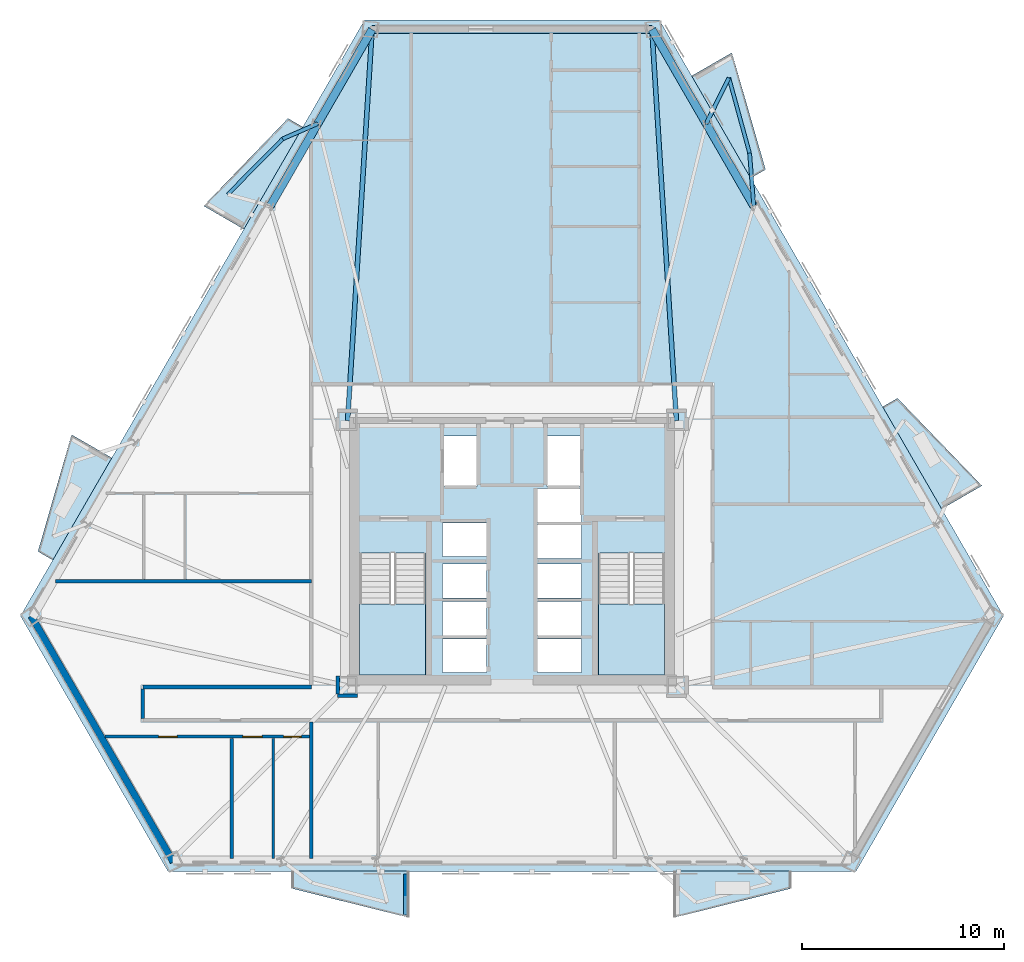
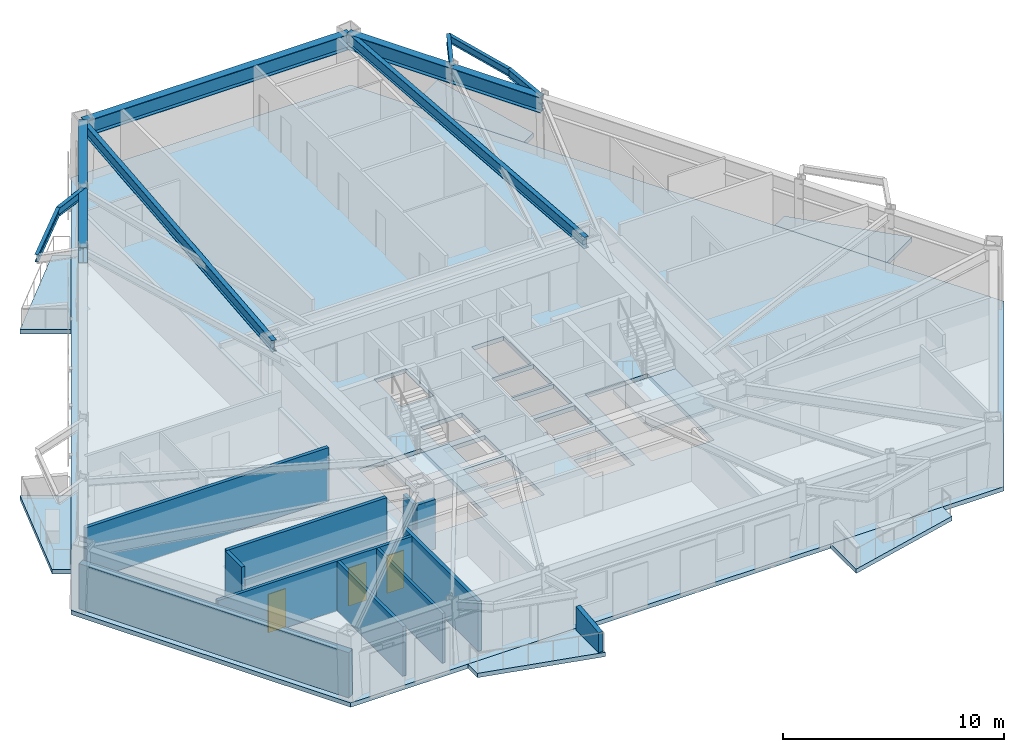
# One storey, part 2 of 10: 12 beams, 11 walls, 9 slabs, 3 doors, 3 openings, 2 elements without a shape of their own.
"""IFC4 building model written with IfcOpenShell, lengths in metres."""

from ifc_helpers import new_model, si_unit, direction, frame, frame_2d, origin, origin_2d, place, context, subcontext, project, spatial, polyline, rectangle, i_section, outline, extrude, material, layer, layer_set, material_profile, profile_set, type_object, element, fill, aggregate, save


model = new_model("IFC4")

# Units and contexts
model_context = context("Model", 3, precision=1e-05, world=origin(), true_north=direction((0.0, 1.0)))
body_context = subcontext(model_context, "Body", "Model", "MODEL_VIEW")
ifc_project = project(units=[si_unit("LENGTHUNIT", "METRE"), si_unit("AREAUNIT", "SQUARE_METRE"), si_unit("VOLUMEUNIT", "CUBIC_METRE"), si_unit("PLANEANGLEUNIT", "RADIAN"), si_unit("MASSUNIT", "GRAM", prefix="KILO")], contexts=[model_context])

# Site, building, storey
site_placement = place(None, origin())
site = spatial("IfcSite", under=ifc_project, at=site_placement, CompositionType="ELEMENT")
building_placement = place(site_placement, origin())
building = spatial("IfcBuilding", under=site, at=building_placement, Name="Oramaril Tower", CompositionType="ELEMENT")
storey_placement = place(building_placement, frame((0.0, 0.0, 59.699951171875)))
storey = spatial("IfcBuildingStorey", under=building, at=storey_placement, Name="L15", CompositionType="ELEMENT", Elevation=59.699951171875)

# Beams
ifc_material_1 = material(Name="Steel ASTM A572 Gr 50", Category="steel")
ifc_material_profile_1 = material_profile(ifc_material_1, i_section(OverallWidth=0.19091796875, OverallDepth=0.45703125, WebThickness=0.009033203125, FlangeThickness=0.014404296875, at=origin_2d()), Name="W18X50")
ifc_profile_set_1 = profile_set([ifc_material_profile_1], Name="Steel ASTM A572 Gr 50")
beam_type_1 = type_object("IfcBeamType", Name="BT-BB1", PredefinedType="BEAM", material=ifc_profile_set_1)
beam_1_placement = place(storey_placement, frame((49.48681640625, 34.797607421875, 3.131591796875), z_axis=(-0.079412586367, 0.996841833556, 0.0), x_axis=(-0.996841833556, -0.079412586367, 0.0)))
element("IfcBeam", 1, at=beam_1_placement, inside=storey, type_object=beam_type_1, Name="L15 Balcony Column-Framed Cantilever 04.1", PredefinedType="BEAM", context=body_context, shape_type="SweptSolid", body=[
    extrude(i_section(OverallWidth=0.19091796875, OverallDepth=0.45703125, WebThickness=0.009033203125, FlangeThickness=0.014404296875, at=origin_2d()), origin(), (0.0, 0.0, 1.0), 2.62548828125),
])
beam_2_placement = place(storey_placement, frame((47.129638671875, 38.88037109375, 3.131591796875), z_axis=(0.444626353757, 0.895716141166, 0.0), x_axis=(-0.895716141166, 0.444626353757, 0.0)))
element("IfcBeam", 2, at=beam_2_placement, inside=storey, type_object=beam_type_1, Name="L15 Balcony Column-Framed Cantilever 04.2", PredefinedType="BEAM", context=body_context, shape_type="SweptSolid", body=[
    extrude(i_section(OverallWidth=0.19091796875, OverallDepth=0.45703125, WebThickness=0.009033203125, FlangeThickness=0.014404296875, at=origin_2d()), origin(), (0.0, 0.0, 1.0), 2.53076171875),
])
beam_3_placement = place(storey_placement, frame((27.870361328125, 38.88037109375, 3.131591796875), z_axis=(-0.917088474832, -0.398683746007, 0.0), x_axis=(0.398683746007, -0.917088474832, 0.0)))
element("IfcBeam", 3, at=beam_3_placement, inside=storey, type_object=beam_type_1, Name="L15 Balcony Column-Framed Cantilever 05.1", PredefinedType="BEAM", context=body_context, shape_type="SweptSolid", body=[
    extrude(i_section(OverallWidth=0.19091796875, OverallDepth=0.45703125, WebThickness=0.009033203125, FlangeThickness=0.014404296875, at=origin_2d()), origin(), (0.0, 0.0, 1.0), 1.896484375),
])
ifc_material_2 = material(Name="Steel ASTM A572 Gr 50", Category="steel")
ifc_material_profile_2 = material_profile(ifc_material_2, i_section(OverallWidth=0.22900390625, OverallDepth=0.612060546875, WebThickness=0.011962890625, FlangeThickness=0.01953125, at=origin_2d()), Name="W24X84")
ifc_profile_set_2 = profile_set([ifc_material_profile_2], Name="Steel ASTM A572 Gr 50")
beam_type_2 = type_object("IfcBeamType", Name="BT-FB1", PredefinedType="BEAM", material=ifc_profile_set_2)
for number, where, z_axis, x_axis, name in (
    (4, (45.64990234375, 24.14990234375, 3.053955078125), (-0.062472136252, 0.998046708422, 0.0), (-0.998046708422, -0.062472136252, 0.0), "L15 Radial Primary Beam RB-05"),
    (5, (29.35009765625, 24.14990234375, 3.053955078125), (0.062472136252, 0.998046708422, 0.0), (-0.998046708422, 0.062472136252, 0.0), "L15 Radial Primary Beam RB-06"),
):
    element("IfcBeam", number, at=place(storey_placement, frame(where, z_axis=z_axis, x_axis=x_axis)), inside=storey, type_object=beam_type_2, Name=name, PredefinedType="BEAM", context=body_context, shape_type="SweptSolid", body=[
        extrude(i_section(OverallWidth=0.22900390625, OverallDepth=0.612060546875, WebThickness=0.011962890625, FlangeThickness=0.01953125, at=origin_2d()), origin(), (0.0, 0.0, 1.0), 19.434326171875),
    ])
ifc_material_3 = material(Name="Steel ASTM A572 Gr 50", Category="steel")
ifc_material_profile_3 = material_profile(ifc_material_3, i_section(OverallWidth=0.177978515625, OverallDepth=0.404052734375, WebThickness=0.007568359375, FlangeThickness=0.010986328125, at=origin_2d()), Name="W16X36")
ifc_profile_set_3 = profile_set([ifc_material_profile_3], Name="Steel ASTM A572 Gr 50")
beam_type_3 = type_object("IfcBeamType", Name="BT-SB1", PredefinedType="BEAM", material=ifc_profile_set_3)
beam_4_placement = place(storey_placement, frame((49.2783203125, 37.414794921875, 3.157958984375), z_axis=(-0.264440915482, 0.964401888332, 0.0), x_axis=(-0.964401888332, -0.264440915482, 0.0)))
element("IfcBeam", 6, at=beam_4_placement, inside=storey, type_object=beam_type_3, Name="L15 Balcony Edge Tie Beam 04", PredefinedType="BEAM", context=body_context, shape_type="SweptSolid", body=[
    extrude(i_section(OverallWidth=0.177978515625, OverallDepth=0.404052734375, WebThickness=0.007568359375, FlangeThickness=0.010986328125, at=origin_2d()), origin(), (0.0, 0.0, 1.0), 3.8701171875),
])
beam_5_placement = place(storey_placement, frame((26.131103515625, 38.124267578125, 3.157958984375), z_axis=(-0.702962973102, -0.711226446673, 0.0), x_axis=(0.711226446673, -0.702962973102, 0.0)))
element("IfcBeam", 7, at=beam_5_placement, inside=storey, type_object=beam_type_3, Name="L15 Balcony Edge Tie Beam 05", PredefinedType="BEAM", context=body_context, shape_type="SweptSolid", body=[
    extrude(i_section(OverallWidth=0.177978515625, OverallDepth=0.404052734375, WebThickness=0.007568359375, FlangeThickness=0.010986328125, at=origin_2d()), origin(), (0.0, 0.0, 1.0), 3.870361328125),
])
ifc_material_4 = material(Name="Steel ASTM A572 Gr 50", Category="steel")
ifc_material_profile_4 = material_profile(ifc_material_4, i_section(OverallWidth=0.40087890625, OverallDepth=0.85595703125, WebThickness=0.018310546875, FlangeThickness=0.029296875, at=origin_2d()), Name="W33X201")
ifc_profile_set_4 = profile_set([ifc_material_profile_4], Name="Steel ASTM A572 Gr 50")
beam_type_4 = type_object("IfcBeamType", Name="BT-SP1", PredefinedType="SPANDREL", material=ifc_profile_set_4)
beam_6_placement = place(storey_placement, frame((49.48681640625, 34.797607421875, 2.93212890625), z_axis=(-0.499998891056, 0.866026044032, 0.0), x_axis=(-0.866026044032, -0.499998891056, 0.0)))
element("IfcBeam", 8, at=beam_6_placement, inside=storey, type_object=beam_type_4, Name="L15 Perimeter Spandrel 11", PredefinedType="SPANDREL", context=body_context, shape_type="SweptSolid", body=[
    extrude(i_section(OverallWidth=0.40087890625, OverallDepth=0.85595703125, WebThickness=0.018310546875, FlangeThickness=0.029296875, at=origin_2d()), origin(), (0.0, 0.0, 1.0), 4.71435546875),
])
beam_7_placement = place(storey_placement, frame((47.129638671875, 38.88037109375, 2.93212890625), z_axis=(-0.499989180974, 0.866031650062, 0.0), x_axis=(-0.866031650062, -0.499989180974, 0.0)))
element("IfcBeam", 9, at=beam_7_placement, inside=storey, type_object=beam_type_4, Name="L15 Perimeter Spandrel 12", PredefinedType="SPANDREL", context=body_context, shape_type="SweptSolid", body=[
    extrude(i_section(OverallWidth=0.40087890625, OverallDepth=0.85595703125, WebThickness=0.018310546875, FlangeThickness=0.029296875, at=origin_2d()), origin(), (0.0, 0.0, 1.0), 5.3876953125),
])
beam_8_placement = place(storey_placement, frame((44.435791015625, 43.54638671875, 2.93212890625), z_axis=(-1.0, 0.0, 0.0), x_axis=(0.0, -1.0, 0.0)))
element("IfcBeam", 10, at=beam_8_placement, inside=storey, type_object=beam_type_4, Name="L15 Perimeter Spandrel 13", PredefinedType="SPANDREL", context=body_context, shape_type="SweptSolid", body=[
    extrude(i_section(OverallWidth=0.40087890625, OverallDepth=0.85595703125, WebThickness=0.018310546875, FlangeThickness=0.029296875, at=origin_2d()), origin(), (0.0, 0.0, 1.0), 13.87158203125),
])
beam_9_placement = place(storey_placement, frame((30.564208984375, 43.54638671875, 2.93212890625), z_axis=(-0.499989180974, -0.866031650062, 0.0), x_axis=(0.866031650062, -0.499989180974, 0.0)))
element("IfcBeam", 11, at=beam_9_placement, inside=storey, type_object=beam_type_4, Name="L15 Perimeter Spandrel 14", PredefinedType="SPANDREL", context=body_context, shape_type="SweptSolid", body=[
    extrude(i_section(OverallWidth=0.40087890625, OverallDepth=0.85595703125, WebThickness=0.018310546875, FlangeThickness=0.029296875, at=origin_2d()), origin(), (0.0, 0.0, 1.0), 5.3876953125),
])
beam_10_placement = place(storey_placement, frame((27.870361328125, 38.88037109375, 2.93212890625), z_axis=(-0.499998891056, -0.866026044032, 0.0), x_axis=(0.866026044032, -0.499998891056, 0.0)))
element("IfcBeam", 12, at=beam_10_placement, inside=storey, type_object=beam_type_4, Name="L15 Perimeter Spandrel 15", PredefinedType="SPANDREL", context=body_context, shape_type="SweptSolid", body=[
    extrude(i_section(OverallWidth=0.40087890625, OverallDepth=0.85595703125, WebThickness=0.018310546875, FlangeThickness=0.029296875, at=origin_2d()), origin(), (0.0, 0.0, 1.0), 4.71435546875),
])

# Slabs
ifc_material_5 = material(Name="Concrete C40/50", Category="concrete")
ifc_layer_1 = layer(ifc_material_5, 0.199951171875)
ifc_layer_set_1 = layer_set([ifc_layer_1], Name="SLT-BAL20")
slab_type_1 = type_object("IfcSlabType", Name="SLT-BAL20", PredefinedType="FLOOR", material=ifc_layer_set_1)
slab_1_placement = place(storey_placement, frame((0.0, 0.0, -0.239990234375)))
element("IfcSlab", 13, at=slab_1_placement, inside=storey, type_object=slab_type_1, Name="L15 Cantilevered Balcony Slab L15-BAL-S1", PredefinedType="FLOOR", context=body_context, shape_type="SweptSolid", body=[
    extrude(outline(polyline([(26.56689453125, 1.815673828125), (32.4169921875, 1.815673828125), (32.4169921875, -0.486328125), (26.56689453125, 0.963623046875), (26.56689453125, 1.815673828125)])), origin(), (0.0, 0.0, 1.0), 0.239990234375),
])
slab_2_placement = place(storey_placement, frame((0.0, 0.0, -0.239990234375)))
element("IfcSlab", 14, at=slab_2_placement, inside=storey, type_object=slab_type_1, Name="L15 Cantilevered Balcony Slab L15-BAL-NE2", PredefinedType="FLOOR", context=body_context, shape_type="SweptSolid", body=[
    extrude(outline(polyline([(49.330810546875, 36.17724609375), (46.40576171875, 41.243408203125), (48.3994140625, 42.39453125), (50.068603515625, 36.603271484375), (49.330810546875, 36.17724609375)])), origin(), (0.0, 0.0, 1.0), 0.239990234375),
])
slab_3_placement = place(storey_placement, frame((0.0, 0.0, -0.239990234375)))
element("IfcSlab", 15, at=slab_3_placement, inside=storey, type_object=slab_type_1, Name="L15 Cantilevered Balcony Slab L15-BAL-NW1", PredefinedType="FLOOR", context=body_context, shape_type="SweptSolid", body=[
    extrude(outline(polyline([(27.1318359375, 38.71044921875), (24.206787109375, 33.64404296875), (22.213134765625, 34.795166015625), (26.39404296875, 39.136474609375), (27.1318359375, 38.71044921875)])), origin(), (0.0, 0.0, 1.0), 0.239990234375),
])
ifc_material_6 = material(Name="Concrete C50/60", Category="concrete")
ifc_layer_2 = layer(ifc_material_6, 0.239990234375)
ifc_layer_set_2 = layer_set([ifc_layer_2], Name="SLT-FLR24")
slab_type_2 = type_object("IfcSlabType", Name="SLT-FLR24", PredefinedType="FLOOR", material=ifc_layer_set_2)
slab_4_placement = place(storey_placement, frame((0.0, 0.0, -0.239990234375)))
element("IfcSlab", 16, at=slab_4_placement, inside=storey, type_object=slab_type_2, Name="L15 Structural Floor Slab", PredefinedType="FLOOR", context=body_context, shape_type="SweptSolid", body=[
    extrude(outline(polyline([(13.134521484375, 14.470458984375), (20.44189453125, 1.813720703125), (54.55810546875, 1.813720703125), (61.865478515625, 14.470458984375), (44.807373046875, 44.015869140625), (30.192626953125, 44.015869140625), (13.134521484375, 14.470458984375)]), holes=[polyline([(29.949951171875, 17.58935546875), (29.949951171875, 11.550048828125), (33.219970703125, 11.550048828125), (33.219970703125, 17.58935546875), (29.949951171875, 17.58935546875)]), polyline([(41.780029296875, 17.58935546875), (41.780029296875, 11.550048828125), (45.050048828125, 11.550048828125), (45.050048828125, 17.58935546875), (41.780029296875, 17.58935546875)]), polyline([(34.110107421875, 20.909912109375), (35.7900390625, 20.909912109375), (35.7900390625, 23.389892578125), (34.110107421875, 23.389892578125), (34.110107421875, 20.909912109375)]), polyline([(39.2099609375, 20.909912109375), (40.889892578125, 20.909912109375), (40.889892578125, 23.389892578125), (39.2099609375, 23.389892578125), (39.2099609375, 20.909912109375)]), polyline([(34.06005859375, 11.659912109375), (36.239990234375, 11.659912109375), (36.239990234375, 13.340087890625), (34.06005859375, 13.340087890625), (34.06005859375, 11.659912109375)]), polyline([(34.06005859375, 13.510009765625), (36.239990234375, 13.510009765625), (36.239990234375, 15.18994140625), (34.06005859375, 15.18994140625), (34.06005859375, 13.510009765625)]), polyline([(34.06005859375, 15.360107421875), (36.239990234375, 15.360107421875), (36.239990234375, 17.0400390625), (34.06005859375, 17.0400390625), (34.06005859375, 15.360107421875)]), polyline([(38.760009765625, 11.659912109375), (40.93994140625, 11.659912109375), (40.93994140625, 13.340087890625), (38.760009765625, 13.340087890625), (38.760009765625, 11.659912109375)]), polyline([(38.760009765625, 13.510009765625), (40.93994140625, 13.510009765625), (40.93994140625, 15.18994140625), (38.760009765625, 15.18994140625), (38.760009765625, 13.510009765625)]), polyline([(38.760009765625, 15.360107421875), (40.93994140625, 15.360107421875), (40.93994140625, 17.0400390625), (38.760009765625, 17.0400390625), (38.760009765625, 15.360107421875)]), polyline([(34.06005859375, 17.409912109375), (36.239990234375, 17.409912109375), (36.239990234375, 19.090087890625), (34.06005859375, 19.090087890625), (34.06005859375, 17.409912109375)]), polyline([(38.760009765625, 17.31005859375), (40.93994140625, 17.31005859375), (40.93994140625, 18.989990234375), (38.760009765625, 18.989990234375), (38.760009765625, 17.31005859375)]), polyline([(38.760009765625, 19.110107421875), (40.93994140625, 19.110107421875), (40.93994140625, 20.7900390625), (38.760009765625, 20.7900390625), (38.760009765625, 19.110107421875)])]), origin(), (0.0, 0.0, 1.0), 0.239990234375),
])

# Stair, slab
ifc_material_7 = material(Name="Concrete C50/60", Category="concrete")
stair_type = type_object("IfcStairType", Name="STT-DG-3600", PredefinedType="HALF_TURN_STAIR", material=ifc_material_7)
stair_1_placement = place(storey_placement, origin())
stair_1 = element("IfcStair", 17, at=stair_1_placement, inside=storey, type_object=stair_type, Name="L15 Protected PFP Exit Stair ST-1", PredefinedType="HALF_TURN_STAIR")
ifc_material_8 = material(Name="Concrete C50/60", Category="concrete")
ifc_layer_3 = layer(ifc_material_8, 0.199951171875)
ifc_layer_set_3 = layer_set([ifc_layer_3], Name="SLT-LND20")
slab_type_3 = type_object("IfcSlabType", Name="SLT-LND20", PredefinedType="LANDING", material=ifc_layer_set_3)
slab_5_placement = place(storey_placement, frame((0.0, 0.0, 1.60009765625)))
slab_5 = element("IfcSlab", 18, at=slab_5_placement, type_object=slab_type_3, Name="ST-1 landing 1", PredefinedType="LANDING", context=body_context, shape_type="SweptSolid", body=[
    extrude(outline(polyline([(29.949951171875, 15.070068359375), (29.949951171875, 11.550048828125), (33.219970703125, 11.550048828125), (33.219970703125, 15.070068359375), (29.949951171875, 15.070068359375)])), origin(), (0.0, 0.0, 1.0), 0.199951171875),
])
aggregate(stair_1, [slab_5])

stair_2_placement = place(storey_placement, origin())
stair_2 = element("IfcStair", 19, at=stair_2_placement, inside=storey, type_object=stair_type, Name="L15 Protected PFP Exit Stair ST-2", PredefinedType="HALF_TURN_STAIR")
slab_6_placement = place(storey_placement, frame((0.0, 0.0, 1.60009765625)))
slab_6 = element("IfcSlab", 20, at=slab_6_placement, type_object=slab_type_3, Name="ST-2 landing 1", PredefinedType="LANDING", context=body_context, shape_type="SweptSolid", body=[
    extrude(outline(polyline([(41.780029296875, 15.070068359375), (41.780029296875, 11.550048828125), (45.050048828125, 11.550048828125), (45.050048828125, 15.070068359375), (41.780029296875, 15.070068359375)])), origin(), (0.0, 0.0, 1.0), 0.199951171875),
])
aggregate(stair_2, [slab_6])

# Slabs
ifc_material_9 = material(Name="Concrete C40/50", Category="concrete")
ifc_layer_4 = layer(ifc_material_9, 0.18994140625)
ifc_layer_set_4 = layer_set([ifc_layer_4], Name="SLT-PLN19")
slab_type_4 = type_object("IfcSlabType", Name="SLT-PLN19", PredefinedType="FLOOR", material=ifc_layer_set_4)
slab_7_placement = place(storey_placement, frame((0.0, 0.0, -0.239990234375)))
element("IfcSlab", 21, at=slab_7_placement, inside=storey, type_object=slab_type_4, Name="L15 Tree Planter Balcony Slab L15-BAL-S2", PredefinedType="FLOOR", context=body_context, shape_type="SweptSolid", body=[
    extrude(outline(polyline([(45.508056640625, 1.815673828125), (51.35791015625, 1.815673828125), (51.35791015625, 0.963623046875), (45.508056640625, -0.486328125), (45.508056640625, 1.815673828125)])), origin(), (0.0, 0.0, 1.0), 0.239990234375),
])
slab_8_placement = place(storey_placement, frame((0.0, 0.0, -0.239990234375)))
element("IfcSlab", 22, at=slab_8_placement, inside=storey, type_object=slab_type_4, Name="L15 Tree Planter Balcony Slab L15-BAL-NE1", PredefinedType="FLOOR", context=body_context, shape_type="SweptSolid", body=[
    extrude(outline(polyline([(58.80126953125, 19.773681640625), (55.876220703125, 24.840087890625), (56.614013671875, 25.26611328125), (60.794921875, 20.9248046875), (58.80126953125, 19.773681640625)])), origin(), (0.0, 0.0, 1.0), 0.239990234375),
])
slab_9_placement = place(storey_placement, frame((0.0, 0.0, -0.239990234375)))
element("IfcSlab", 23, at=slab_9_placement, inside=storey, type_object=slab_type_4, Name="L15 Tree Planter Balcony Slab L15-BAL-NW2", PredefinedType="FLOOR", context=body_context, shape_type="SweptSolid", body=[
    extrude(outline(polyline([(17.661376953125, 22.306884765625), (14.736328125, 17.24072265625), (13.99853515625, 17.666748046875), (15.667724609375, 23.4580078125), (17.661376953125, 22.306884765625)])), origin(), (0.0, 0.0, 1.0), 0.239990234375),
])

# Walls
ifc_material_10 = material(Name="Warm Cream Limestone", Category="masonry")
ifc_layer_5 = layer(ifc_material_10, 0.340087890625)
ifc_layer_set_5 = layer_set([ifc_layer_5], Name="WT-EXT34")
wall_type_1 = type_object("IfcWallType", Name="WT-EXT34", PredefinedType="SOLIDWALL", material=ifc_layer_set_5)
wall_1_placement = place(storey_placement, frame((13.665771484375, 14.470458984375, 0.0), z_axis=(0.0, 0.0, 1.0), x_axis=(0.499996557917, -0.866027391063, 0.0)))
element("IfcWall", 24, at=wall_1_placement, inside=storey, type_object=wall_type_1, Name="L15 Tower Limestone Facade Wall 1M", PredefinedType="SOLIDWALL", context=body_context, shape_type="SweptSolid", body=[
    extrude(rectangle(XDim=14.08349609375, YDim=0.340087890625, at=frame_2d((7.041748046875, 0.0))), origin(), (0.0, 0.0, 1.0), 2.494140625),
])
ifc_material_11 = material(Name="Concrete C40/50", Category="concrete")
ifc_layer_6 = layer(ifc_material_11, 0.22998046875)
ifc_layer_set_6 = layer_set([ifc_layer_6], Name="WT-PRP23")
wall_type_2 = type_object("IfcWallType", Name="WT-PRP23", PredefinedType="PARAPET", material=ifc_layer_set_6)
wall_2_placement = place(storey_placement, frame((32.237060546875, 1.67578125, 0.0), z_axis=(0.0, 0.0, 1.0), x_axis=(0.0, -1.0, 0.0)))
element("IfcWall", 25, at=wall_2_placement, inside=storey, type_object=wall_type_2, Name="L15 Trapezoidal Balcony Frame Cheek L15-BAL-S1-R", PredefinedType="PARAPET", context=body_context, shape_type="SweptSolid", body=[
    extrude(outline(polyline([(0.0, 0.0), (2.0419921875, 0.0), (2.0419921875, 1.10009765625), (0.0, 1.320068359375), (0.0, 0.0)])), frame((0.0, 0.114990234375, 0.0), z_axis=(0.0, -1.0, 0.0), x_axis=(1.0, 0.0, 0.0)), (0.0, 0.0, 1.0), 0.22998046875),
])
ifc_material_12 = material(Name="Acoustic Gypsum Board Partition")
ifc_layer_7 = layer(ifc_material_12, 0.139892578125)
ifc_layer_set_7 = layer_set([ifc_layer_7], Name="WT-PT14")
wall_type_3 = type_object("IfcWallType", Name="WT-PT14", PredefinedType="PARTITIONING", material=ifc_layer_set_7)
wall_3_placement = place(storey_placement, frame((25.659912109375, 2.44775390625, 0.0), z_axis=(0.0, 0.0, 1.0), x_axis=(0.0, 1.0, 0.0)))
element("IfcWall", 26, at=wall_3_placement, inside=storey, type_object=wall_type_3, Name="L15 Interior Partition PT-14", PredefinedType="PARTITIONING", context=body_context, shape_type="SweptSolid", body=[
    extrude(rectangle(XDim=5.958251953125, YDim=0.139892578125, at=frame_2d((2.97900390625, 0.0))), origin(), (0.0, 0.0, 1.0), 2.738037109375),
])

# Wall, openings, doors
ifc_material_13 = material(Name="Acoustic Gypsum Board Partition")
ifc_layer_8 = layer(ifc_material_13, 0.159912109375)
ifc_layer_set_8 = layer_set([ifc_layer_8], Name="WT-PT16")
wall_type_4 = type_object("IfcWallType", Name="WT-PT16", PredefinedType="PARTITIONING", material=ifc_layer_set_8)
wall_4_placement = place(storey_placement, frame((17.319580078125, 8.489990234375, 0.0), z_axis=(0.0, 0.0, 1.0), x_axis=(1.0, 0.0, 0.0)))
wall_4 = element("IfcWall", 27, at=wall_4_placement, inside=storey, type_object=wall_type_4, Name="L15 Interior Partition PT-16", PredefinedType="PARTITIONING", context=body_context, shape_type="SweptSolid", body=[
    extrude(rectangle(XDim=10.280517578125, YDim=0.159912109375, at=frame_2d((5.14013671875, 0.0))), origin(), (0.0, 0.0, 1.0), 2.738037109375),
])
opening_1_placement = place(wall_4_placement, frame((2.65771484375, 0.0, 0.0)))
opening_1 = element("IfcOpeningElement", 28, at=opening_1_placement, cuts=wall_4, Name="Opening D-L15-01", PredefinedType="OPENING", context=body_context, shape_type="SweptSolid", body=[
    extrude(rectangle(XDim=0.919921875, YDim=2.1201171875, at=frame_2d((0.4599609375, 1.06005859375))), frame((0.0, 0.080078125, 0.0), z_axis=(0.0, -1.0, 0.0), x_axis=(1.0, 0.0, 0.0)), (0.0, 0.0, 1.0), 0.159912109375),
])
opening_2_placement = place(wall_4_placement, frame((6.840576171875, 0.0, 0.0)))
opening_2 = element("IfcOpeningElement", 29, at=opening_2_placement, cuts=wall_4, Name="Opening D-L15-02", PredefinedType="OPENING", context=body_context, shape_type="SweptSolid", body=[
    extrude(rectangle(XDim=0.949951171875, YDim=2.10009765625, at=frame_2d((0.47509765625, 1.050048828125))), frame((0.0, 0.080078125, 0.0), z_axis=(0.0, -1.0, 0.0), x_axis=(1.0, 0.0, 0.0)), (0.0, 0.0, 1.0), 0.159912109375),
])
opening_3_placement = place(wall_4_placement, frame((8.860595703125, 0.0, 0.0)))
opening_3 = element("IfcOpeningElement", 30, at=opening_3_placement, cuts=wall_4, Name="Opening D-L15-03", PredefinedType="OPENING", context=body_context, shape_type="SweptSolid", body=[
    extrude(rectangle(XDim=0.8798828125, YDim=2.080078125, at=frame_2d((0.43994140625, 1.0400390625))), frame((0.0, 0.080078125, 0.0), z_axis=(0.0, -1.0, 0.0), x_axis=(1.0, 0.0, 0.0)), (0.0, 0.0, 1.0), 0.159912109375),
])
ifc_material_14 = material(Name="FSC Brazilian Freijo Hardwood", Category="wood")
door_type_1 = type_object("IfcDoorType", Name="DT-BATH", OperationType="NOTDEFINED", PredefinedType="DOOR", material=ifc_material_14)
door_1_placement = place(opening_3_placement, origin())
door_1 = element("IfcDoor", 31, at=door_1_placement, inside=storey, type_object=door_type_1, Name="L15 Flat L15-U3 Bathroom Door D-L15-03", OperationType="SINGLE_SWING_RIGHT", OverallHeight=2.080078125, OverallWidth=0.8798828125, PredefinedType="DOOR", context=body_context, shape_type="SweptSolid", body=[
    extrude(rectangle(XDim=0.8798828125, YDim=2.080078125, at=frame_2d((0.43994140625, 1.0400390625))), frame((0.0, 0.02490234375, 0.0), z_axis=(0.0, -1.0, 0.0), x_axis=(1.0, 0.0, 0.0)), (0.0, 0.0, 1.0), 0.050048828125),
])
fill(opening_3, door_1)
ifc_material_15 = material(Name="FSC Brazilian Freijo Hardwood", Category="wood")
door_type_2 = type_object("IfcDoorType", Name="DT-BED", OperationType="NOTDEFINED", PredefinedType="DOOR", material=ifc_material_15)
door_2_placement = place(opening_1_placement, origin())
door_2 = element("IfcDoor", 32, at=door_2_placement, inside=storey, type_object=door_type_2, Name="L15 Flat L15-U3 Master Bedroom Door D-L15-01", OperationType="SINGLE_SWING_RIGHT", OverallHeight=2.1201171875, OverallWidth=0.919921875, PredefinedType="DOOR", context=body_context, shape_type="SweptSolid", body=[
    extrude(rectangle(XDim=0.919921875, YDim=2.1201171875, at=frame_2d((0.4599609375, 1.06005859375))), frame((0.0, 0.02490234375, 0.0), z_axis=(0.0, -1.0, 0.0), x_axis=(1.0, 0.0, 0.0)), (0.0, 0.0, 1.0), 0.050048828125),
])
fill(opening_1, door_2)
ifc_material_16 = material(Name="FSC Brazilian Freijo Hardwood", Category="wood")
door_type_3 = type_object("IfcDoorType", Name="DT-STDY", OperationType="NOTDEFINED", PredefinedType="DOOR", material=ifc_material_16)
door_3_placement = place(opening_2_placement, origin())
door_3 = element("IfcDoor", 33, at=door_3_placement, inside=storey, type_object=door_type_3, Name="L15 Flat L15-U3 Kitchen Door D-L15-02", OperationType="SINGLE_SWING_LEFT", OverallHeight=2.10009765625, OverallWidth=0.949951171875, PredefinedType="DOOR", context=body_context, shape_type="SweptSolid", body=[
    extrude(rectangle(XDim=0.949951171875, YDim=2.10009765625, at=frame_2d((0.47509765625, 1.050048828125))), frame((0.0, 0.02490234375, 0.0), z_axis=(0.0, -1.0, 0.0), x_axis=(1.0, 0.0, 0.0)), (0.0, 0.0, 1.0), 0.050048828125),
])
fill(opening_2, door_3)

# Walls
wall_5_placement = place(storey_placement, frame((23.610107421875, 2.44775390625, 0.0), z_axis=(0.0, 0.0, 1.0), x_axis=(0.0, 1.0, 0.0)))
element("IfcWall", 34, at=wall_5_placement, inside=storey, type_object=wall_type_4, Name="L15 Interior Partition PT-16", PredefinedType="PARTITIONING", context=body_context, shape_type="SweptSolid", body=[
    extrude(rectangle(XDim=5.958251953125, YDim=0.159912109375, at=frame_2d((2.97900390625, 0.0))), origin(), (0.0, 0.0, 1.0), 2.738037109375),
])
ifc_material_17 = material(Name="Autoclaved Cellular Concrete Block", Category="concrete")
ifc_layer_9 = layer(ifc_material_17, 0.179931640625)
ifc_layer_set_9 = layer_set([ifc_layer_9], Name="WT-PT18")
wall_type_5 = type_object("IfcWallType", Name="WT-PT18", PredefinedType="PARTITIONING", material=ifc_layer_set_9)
wall_6_placement = place(storey_placement, frame((28.860107421875, 10.510009765625, 0.0), z_axis=(0.0, 0.0, 1.0), x_axis=(1.0, 0.0, 0.0)))
element("IfcWall", 35, at=wall_6_placement, inside=storey, type_object=wall_type_5, Name="L15 Interior Partition PT-18", PredefinedType="PARTITIONING", context=body_context, shape_type="SweptSolid", body=[
    extrude(rectangle(XDim=0.97998046875, YDim=0.179931640625, at=frame_2d((0.489990234375, 0.0))), origin(), (0.0, 0.0, 1.0), 2.738037109375),
])
wall_7_placement = place(storey_placement, frame((19.199951171875, 10.949951171875, 0.0), z_axis=(0.0, 0.0, 1.0), x_axis=(1.0, 0.0, 0.0)))
element("IfcWall", 36, at=wall_7_placement, inside=storey, type_object=wall_type_5, Name="L15 Interior Partition PT-18", PredefinedType="PARTITIONING", context=body_context, shape_type="SweptSolid", body=[
    extrude(rectangle(XDim=8.35009765625, YDim=0.179931640625, at=frame_2d((4.175048828125, 0.0))), origin(), (0.0, 0.0, 1.0), 3.360107421875),
])
wall_8_placement = place(storey_placement, frame((14.865234375, 16.199951171875, 0.0), z_axis=(0.0, 0.0, 1.0), x_axis=(1.0, 0.0, 0.0)))
element("IfcWall", 37, at=wall_8_placement, inside=storey, type_object=wall_type_5, Name="L15 Interior Partition PT-18", PredefinedType="PARTITIONING", context=body_context, shape_type="SweptSolid", body=[
    extrude(rectangle(XDim=12.684814453125, YDim=0.179931640625, at=frame_2d((6.34228515625, 0.0))), origin(), (0.0, 0.0, 1.0), 2.946044921875),
])
wall_9_placement = place(storey_placement, frame((19.199951171875, 9.39404296875, 0.0), z_axis=(0.0, 0.0, 1.0), x_axis=(0.0, 1.0, 0.0)))
element("IfcWall", 38, at=wall_9_placement, inside=storey, type_object=wall_type_5, Name="L15 Interior Partition PT-18", PredefinedType="PARTITIONING", context=body_context, shape_type="SweptSolid", body=[
    extrude(rectangle(XDim=1.4619140625, YDim=0.179931640625, at=frame_2d((0.73095703125, 0.0))), origin(), (0.0, 0.0, 1.0), 3.360107421875),
])
wall_10_placement = place(storey_placement, frame((27.550048828125, 2.44775390625, 0.0), z_axis=(0.0, 0.0, 1.0), x_axis=(0.0, 1.0, 0.0)))
element("IfcWall", 39, at=wall_10_placement, inside=storey, type_object=wall_type_5, Name="L15 Interior Partition PT-18", PredefinedType="PARTITIONING", context=body_context, shape_type="SweptSolid", body=[
    extrude(rectangle(XDim=6.75830078125, YDim=0.179931640625, at=frame_2d((3.379150390625, 0.0))), origin(), (0.0, 0.0, 1.0), 2.738037109375),
])
wall_11_placement = place(storey_placement, frame((28.860107421875, 10.60400390625, 0.0), z_axis=(0.0, 0.0, 1.0), x_axis=(0.0, 1.0, 0.0)))
element("IfcWall", 40, at=wall_11_placement, inside=storey, type_object=wall_type_5, Name="L15 Interior Partition PT-18", PredefinedType="PARTITIONING", context=body_context, shape_type="SweptSolid", body=[
    extrude(rectangle(XDim=0.89111328125, YDim=0.179931640625, at=frame_2d((0.445556640625, 0.0))), origin(), (0.0, 0.0, 1.0), 2.738037109375),
])

save(model, "model.ifc")
